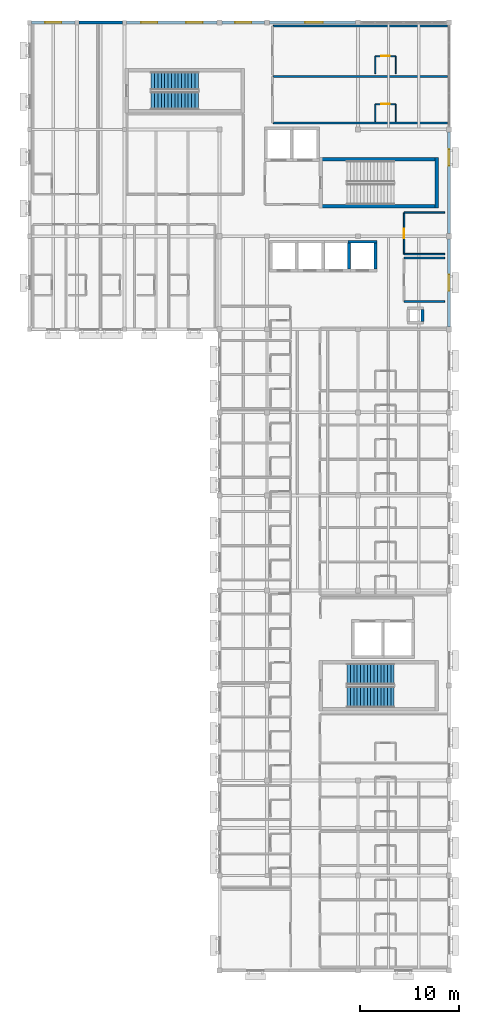
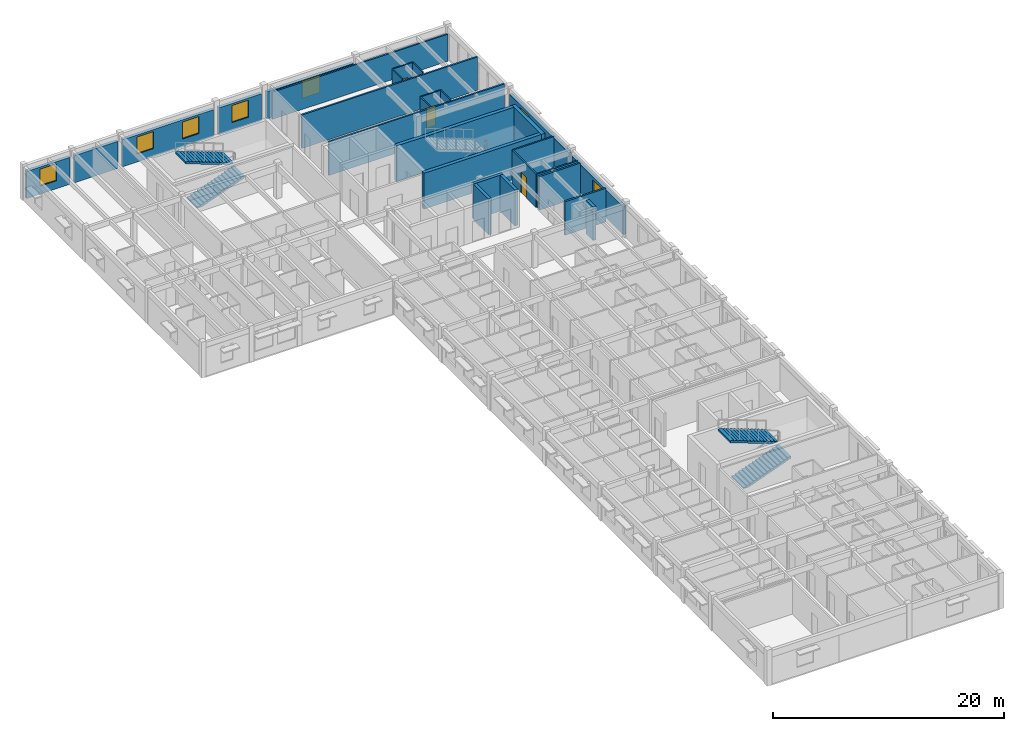
# One storey, part 15 of 20: 28 walls, 7 windows, 4 stair flights, 3 doors, 10 openings, 2 elements without a shape of their own.
"""IFC4 building model written with IfcOpenShell, lengths in metres."""

import ifcopenshell
import ifcopenshell.guid

model = None  # the IFC model being written
_history = None  # IfcOwnerHistory: only IFC2X3 demands one
_inside = {}  # id of a spatial element -> (the spatial element, [elements in it])
_under = {}  # id of a project, library or spatial element -> (it, [spatial elements below it])
_declared = {}  # id of a project -> (the project, [libraries it declares])
_typed = {}  # id of a type object -> (the type object, [elements of that type])
_made_of = {}  # id of a material, layer set ... -> (it, [elements and type objects made of it])


def new_model(schema):
    """Start an empty IFC model of exactly this schema.

    Asked for "IFC4X3", IfcOpenShell would pick the latest addendum, in which some entities
    have other attributes; the version numbers below select the first issue.
    IFC2X3 requires an IfcOwnerHistory on every rooted entity: one is made here for all.
    """
    global model, _history
    if schema == "IFC4X3":
        model = ifcopenshell.file(schema_version=(4, 3, 0, 0))
    else:
        model = ifcopenshell.file(schema=schema)
    _inside.clear()
    _under.clear()
    _declared.clear()
    _typed.clear()
    _made_of.clear()
    _history = None
    if model.schema == "IFC2X3":
        org = make("IfcOrganization", Name="unknown")
        user = make(
            "IfcPersonAndOrganization",
            ThePerson=make("IfcPerson", FamilyName="unknown"),
            TheOrganization=org,
        )
        app = make(
            "IfcApplication",
            ApplicationDeveloper=org,
            Version="unknown",
            ApplicationFullName="unknown",
            ApplicationIdentifier="unknown",
        )
        _history = make(
            "IfcOwnerHistory",
            OwningUser=user,
            OwningApplication=app,
            ChangeAction="ADDED",
            CreationDate=0,
        )
    return model


def make(cls, **values):
    """One entity of the class cls with the attributes given. An attribute that is None is left unset."""
    return model.create_entity(
        cls, **{name: value for name, value in values.items() if value is not None}
    )


def rooted(cls, **values):
    """An entity with a GlobalId (a new one), such as an element, a storey or a relation."""
    return make(cls, GlobalId=ifcopenshell.guid.new(), OwnerHistory=_history, **values)


def si_unit(unit_type, name, prefix=None):
    """IfcSIUnit, for example si_unit("LENGTHUNIT", "METRE", prefix="MILLI")."""
    return make("IfcSIUnit", UnitType=unit_type, Prefix=prefix, Name=name)


def assignment(units):
    """IfcUnitAssignment: the units of a project."""
    return None if units is None else make("IfcUnitAssignment", Units=units)


def point(xyz):
    """IfcCartesianPoint."""
    return None if xyz is None else make("IfcCartesianPoint", Coordinates=xyz)


def direction(xyz):
    """IfcDirection."""
    return None if xyz is None else make("IfcDirection", DirectionRatios=xyz)


def frame(location, z_axis=None, x_axis=None):
    """IfcAxis2Placement3D, a coordinate frame: its origin and axes. An axis left out is left unset."""
    return make(
        "IfcAxis2Placement3D",
        Location=point(location),
        Axis=direction(z_axis),
        RefDirection=direction(x_axis),
    )


def frame_2d(location, x_axis=None):
    """IfcAxis2Placement2D, a coordinate frame in the plane: its origin and x axis."""
    return make(
        "IfcAxis2Placement2D", Location=point(location), RefDirection=direction(x_axis)
    )


def origin():
    """The frame at (0, 0, 0) with its axes left unset."""
    return frame((0.0, 0.0, 0.0))


def place(relative_to, where):
    """IfcLocalPlacement: puts the frame where relative to a parent placement (None: the world)."""
    return make(
        "IfcLocalPlacement", PlacementRelTo=relative_to, RelativePlacement=where
    )


def context(
    kind, dimensions, precision=None, world=None, true_north=None, identifier=None
):
    """IfcGeometricRepresentationContext, for example the 3D "Model" context."""
    return make(
        "IfcGeometricRepresentationContext",
        ContextIdentifier=identifier,
        ContextType=kind,
        CoordinateSpaceDimension=dimensions,
        Precision=precision,
        WorldCoordinateSystem=world,
        TrueNorth=true_north,
    )


def subcontext(parent, identifier, kind, view, scale=None):
    """IfcGeometricRepresentationSubContext, for example "Body" below "Model"."""
    return make(
        "IfcGeometricRepresentationSubContext",
        ContextIdentifier=identifier,
        ContextType=kind,
        ParentContext=parent,
        TargetScale=scale,
        TargetView=view,
    )


def project(units=None, contexts=None):
    """IfcProject with its units and contexts."""
    return rooted(
        "IfcProject",
        Name="project",
        RepresentationContexts=contexts,
        UnitsInContext=assignment(units),
    )


def spatial(cls, under=None, at=None, **own):
    """A site, building, storey or space (cls), placed at a placement, below another one or the project."""
    s = rooted(cls, ObjectPlacement=at, **own)
    if under is not None:
        _under.setdefault(under.id(), (under, []))[1].append(s)
    return s


def polyline(points):
    """IfcPolyline through the points."""
    return make("IfcPolyline", Points=[point(p) for p in points])


def profile(cls, at=None, kind="AREA", **sizes):
    """A parametric profile (cls). Its sizes go by their IFC names, for example OverallWidth=200.0."""
    return make(cls, ProfileType=kind, Position=at, **sizes)


def rectangle(**sizes):
    """IfcRectangleProfileDef."""
    return profile("IfcRectangleProfileDef", **sizes)


def outline(outer, holes=None, kind="AREA"):
    """IfcArbitraryClosedProfileDef: a profile drawn as a closed curve; with holes, ...WithVoids."""
    if holes is None:
        return make("IfcArbitraryClosedProfileDef", ProfileType=kind, OuterCurve=outer)
    return make(
        "IfcArbitraryProfileDefWithVoids",
        ProfileType=kind,
        OuterCurve=outer,
        InnerCurves=holes,
    )


def extrude(swept, where, along, depth):
    """IfcExtrudedAreaSolid: the profile swept, set in the frame where, extruded along a direction by depth."""
    return make(
        "IfcExtrudedAreaSolid",
        SweptArea=swept,
        Position=where,
        ExtrudedDirection=direction(along),
        Depth=depth,
    )


def shape(context_of_items, identifier, shape_type, items):
    """IfcShapeRepresentation: the items that make up one representation, for example the "Body"."""
    return make(
        "IfcShapeRepresentation",
        ContextOfItems=context_of_items,
        RepresentationIdentifier=identifier,
        RepresentationType=shape_type,
        Items=items,
    )


def material(Name=None, Category=None):
    """IfcMaterial."""
    return make("IfcMaterial", Name=Name, Category=Category)


def layer(
    of_material, thickness, ventilated=None, Name=None, Category=None, Priority=None
):
    """IfcMaterialLayer: one layer of a wall or slab, of a material (None: an air gap)."""
    return make(
        "IfcMaterialLayer",
        Material=of_material,
        LayerThickness=thickness,
        IsVentilated=ventilated,
        Name=Name,
        Category=Category,
        Priority=Priority,
    )


def layer_set(layers, Name=None):
    """IfcMaterialLayerSet."""
    return make("IfcMaterialLayerSet", MaterialLayers=layers, LayerSetName=Name)


def made_of(thing, what):
    """Note that an element or type object is made of a material, layer set ...; save() writes the relation."""
    if what is not None:
        _made_of.setdefault(what.id(), (what, []))[1].append(thing)
    return thing


def type_object(cls, material=None, **own):
    """A type object (cls), such as IfcWallType, which elements share."""
    return made_of(rooted(cls, **own), material)


def element(
    cls,
    number,
    at=None,
    inside=None,
    cuts=None,
    type_object=None,
    material=None,
    context=None,
    identifier="Body",
    shape_type=None,
    held_by="IfcProductDefinitionShape",
    body=None,
    shapes=None,
    **own,
):
    """One element of the class cls, such as IfcWall. Its Tag is "e" and its number.

    at: its placement. inside: the storey or other place that contains it. cuts: it is an
    opening in that element (IfcRelVoidsElement). A single representation is given by context,
    identifier, shape_type and body (its items); several are given by shapes. held_by: the class
    of the entity that holds the representations. save() writes the other relations.
    """
    e = rooted(cls, Tag="e%d" % number, ObjectPlacement=at, **own)
    if body is not None:
        shapes = [shape(context, identifier, shape_type, body)]
    if shapes is not None:
        e.Representation = make(held_by, Representations=shapes)
    if inside is not None:
        _inside.setdefault(inside.id(), (inside, []))[1].append(e)
    if cuts is not None:
        rooted(
            "IfcRelVoidsElement", RelatingBuildingElement=cuts, RelatedOpeningElement=e
        )
    if type_object is not None:
        _typed.setdefault(type_object.id(), (type_object, []))[1].append(e)
    return made_of(e, material)


def fill(opening, filler):
    """IfcRelFillsElement: the door or window that sits in an opening."""
    return rooted(
        "IfcRelFillsElement",
        RelatingOpeningElement=opening,
        RelatedBuildingElement=filler,
    )


def aggregate(whole, parts):
    """IfcRelAggregates: a whole, such as a stair, and the parts it consists of."""
    return rooted("IfcRelAggregates", RelatingObject=whole, RelatedObjects=parts)


def save(model, path):
    """Write the relations noted so far, then the file.

    IfcRelAggregates (storeys below a building ...), IfcRelContainedInSpatialStructure (elements
    in a storey), IfcRelDefinesByType, IfcRelAssociatesMaterial and IfcRelDeclares: one each for
    every whole, place, type object, material and project.
    """
    for whole, parts in _under.values():
        aggregate(whole, parts)
    for where, things in _inside.values():
        rooted(
            "IfcRelContainedInSpatialStructure",
            RelatedElements=things,
            RelatingStructure=where,
        )
    for kind, things in _typed.values():
        rooted("IfcRelDefinesByType", RelatedObjects=things, RelatingType=kind)
    for what, things in _made_of.values():
        rooted("IfcRelAssociatesMaterial", RelatedObjects=things, RelatingMaterial=what)
    for by, libraries in _declared.values():
        rooted("IfcRelDeclares", RelatingContext=by, RelatedDefinitions=libraries)
    model.write(path)


model = new_model("IFC4")

# Units and contexts
model_context = context("Model", 3, precision=1e-05, world=origin(), true_north=direction((0.0, 1.0)))
body_context = subcontext(model_context, "Body", "Model", "MODEL_VIEW")
ifc_project = project(units=[si_unit("LENGTHUNIT", "METRE"), si_unit("AREAUNIT", "SQUARE_METRE"), si_unit("VOLUMEUNIT", "CUBIC_METRE"), si_unit("PLANEANGLEUNIT", "RADIAN"), si_unit("MASSUNIT", "GRAM", prefix="KILO")], contexts=[model_context])

# Site, building, storey
site_placement = place(None, origin())
site = spatial("IfcSite", under=ifc_project, at=site_placement, CompositionType="ELEMENT")
building_placement = place(site_placement, origin())
building = spatial("IfcBuilding", under=site, at=building_placement, Name="Veldera Park Congress Hotel", CompositionType="ELEMENT")
storey_placement = place(building_placement, frame((0.0, 0.0, 27.60009765625)))
storey = spatial("IfcBuildingStorey", under=building, at=storey_placement, Name="L06", CompositionType="ELEMENT", Elevation=27.60009765625)

# Wall, opening, window
ifc_material_1 = material(Name="Cross-laminated timber CLT V2M1.1", Category="wood")
ifc_layer_1 = layer(ifc_material_1, 0.300048828125)
ifc_layer_set_1 = layer_set([ifc_layer_1], Name="Cross-laminated timber CLT V2M1.1")
wall_type_1 = type_object("IfcWallType", Name="EW-CLT300", PredefinedType="STANDARD", material=ifc_layer_set_1)
wall_1_placement = place(storey_placement, frame((84.0, 27.258056640625, 0.0), z_axis=(0.0, 0.0, 1.0), x_axis=(0.0, 1.0, 0.0)))
wall_1 = element("IfcWall", 1, at=wall_1_placement, inside=storey, type_object=wall_type_1, Name="L06 Exterior Wall EW3-L06-0319", PredefinedType="STANDARD", context=body_context, shape_type="SweptSolid", body=[
    extrude(rectangle(XDim=8.884033203125, YDim=0.300048828125, at=frame_2d((4.44189453125, 0.0))), origin(), (0.0, 0.0, 1.0), 2.969970703125),
])
opening_1_placement = place(wall_1_placement, frame((3.616943359375, 0.0, 0.85009765625)))
opening_1 = element("IfcOpeningElement", 2, at=opening_1_placement, cuts=wall_1, Name="Opening WIN-1650", PredefinedType="OPENING", context=body_context, shape_type="SweptSolid", body=[
    extrude(rectangle(XDim=1.64990234375, YDim=1.800048828125, at=frame_2d((0.824951171875, 0.89990234375))), frame((0.0, 0.162109375, 0.0), z_axis=(0.0, -1.0, 0.0), x_axis=(1.0, 0.0, 0.0)), (0.0, 0.0, 1.0), 0.323974609375),
])
ifc_material_2 = material(Name="Low-E Triple Insulating Glass Unit (SHGC 0.22)", Category="glass")
window_type_1 = type_object("IfcWindowType", Name="WIN-1650", PartitioningType="SINGLE_PANEL", PredefinedType="WINDOW", material=ifc_material_2)
window_1_placement = place(opening_1_placement, origin())
window_1 = element("IfcWindow", 3, at=window_1_placement, inside=storey, type_object=window_type_1, Name="L06 Window WIN-1650 240", OverallHeight=1.800048828125, OverallWidth=1.64990234375, PartitioningType="SINGLE_PANEL", PredefinedType="WINDOW", context=body_context, shape_type="SweptSolid", body=[
    extrude(rectangle(XDim=1.64990234375, YDim=1.800048828125, at=frame_2d((0.824951171875, 0.89990234375))), frame((0.0, 0.030029296875, 0.0), z_axis=(0.0, -1.0, 0.0), x_axis=(1.0, 0.0, 0.0)), (0.0, 0.0, 1.0), 0.06005859375),
])
fill(opening_1, window_1)

wall_2_placement = place(storey_placement, frame((84.0, 36.657958984375, 0.0), z_axis=(0.0, 0.0, 1.0), x_axis=(0.0, 1.0, 0.0)))
wall_2 = element("IfcWall", 4, at=wall_2_placement, inside=storey, type_object=wall_type_1, Name="L06 Exterior Wall EW3-L06-0320", PredefinedType="STANDARD", context=body_context, shape_type="SweptSolid", body=[
    extrude(rectangle(XDim=10.283935546875, YDim=0.300048828125, at=frame_2d((5.14208984375, 0.0))), origin(), (0.0, 0.0, 1.0), 2.969970703125),
])
opening_2_placement = place(wall_2_placement, frame((6.887939453125, 0.0, 0.85009765625)))
opening_2 = element("IfcOpeningElement", 5, at=opening_2_placement, cuts=wall_2, Name="Opening WIN-1650", PredefinedType="OPENING", context=body_context, shape_type="SweptSolid", body=[
    extrude(rectangle(XDim=1.64990234375, YDim=1.800048828125, at=frame_2d((0.824951171875, 0.89990234375))), frame((0.0, 0.162109375, 0.0), z_axis=(0.0, -1.0, 0.0), x_axis=(1.0, 0.0, 0.0)), (0.0, 0.0, 1.0), 0.323974609375),
])
window_2_placement = place(opening_2_placement, origin())
window_2 = element("IfcWindow", 6, at=window_2_placement, inside=storey, type_object=window_type_1, Name="L06 Window WIN-1650 241", OverallHeight=1.800048828125, OverallWidth=1.64990234375, PartitioningType="SINGLE_PANEL", PredefinedType="WINDOW", context=body_context, shape_type="SweptSolid", body=[
    extrude(rectangle(XDim=1.64990234375, YDim=1.800048828125, at=frame_2d((0.824951171875, 0.89990234375))), frame((0.0, 0.030029296875, 0.0), z_axis=(0.0, -1.0, 0.0), x_axis=(1.0, 0.0, 0.0)), (0.0, 0.0, 1.0), 0.06005859375),
])
fill(opening_2, window_2)

wall_3_placement = place(storey_placement, frame((74.5419921875, 58.0, 0.0), z_axis=(0.0, 0.0, 1.0), x_axis=(-1.0, 0.0, 0.0)))
wall_3 = element("IfcWall", 7, at=wall_3_placement, inside=storey, type_object=wall_type_1, Name="L06 Exterior Wall EW3-L06-0321", PredefinedType="STANDARD", context=body_context, shape_type="SweptSolid", body=[
    extrude(rectangle(XDim=8.68408203125, YDim=0.300048828125, at=frame_2d((4.342041015625, 0.0))), origin(), (0.0, 0.0, 1.0), 2.869873046875),
])
opening_3_placement = place(wall_3_placement, frame((3.2958984375, 0.0, 0.85009765625)))
opening_3 = element("IfcOpeningElement", 8, at=opening_3_placement, cuts=wall_3, Name="Opening WIN-1800", PredefinedType="OPENING", context=body_context, shape_type="SweptSolid", body=[
    extrude(rectangle(XDim=1.800048828125, YDim=1.85009765625, at=frame_2d((0.89990234375, 0.925048828125))), frame((0.0, 0.162109375, 0.0), z_axis=(0.0, -1.0, 0.0), x_axis=(1.0, 0.0, 0.0)), (0.0, 0.0, 1.0), 0.323974609375),
])
window_type_2 = type_object("IfcWindowType", Name="WIN-1800", PartitioningType="SINGLE_PANEL", PredefinedType="WINDOW", material=ifc_material_2)
window_3_placement = place(opening_3_placement, origin())
window_3 = element("IfcWindow", 9, at=window_3_placement, inside=storey, type_object=window_type_2, Name="L06 Window WIN-1800 540", OverallHeight=1.85009765625, OverallWidth=1.800048828125, PartitioningType="SINGLE_PANEL", PredefinedType="WINDOW", context=body_context, shape_type="SweptSolid", body=[
    extrude(rectangle(XDim=1.800048828125, YDim=1.85009765625, at=frame_2d((0.89990234375, 0.925048828125))), frame((0.0, 0.030029296875, 0.0), z_axis=(0.0, -1.0, 0.0), x_axis=(1.0, 0.0, 0.0)), (0.0, 0.0, 1.0), 0.06005859375),
])
fill(opening_3, window_3)

wall_4_placement = place(storey_placement, frame((65.342041015625, 58.0, 0.0), z_axis=(0.0, 0.0, 1.0), x_axis=(-1.0, 0.0, 0.0)))
wall_4 = element("IfcWall", 10, at=wall_4_placement, inside=storey, type_object=wall_type_1, Name="L06 Exterior Wall EW3-L06-0322", PredefinedType="STANDARD", context=body_context, shape_type="SweptSolid", body=[
    extrude(rectangle(XDim=4.283935546875, YDim=0.300048828125, at=frame_2d((2.14208984375, 0.0))), origin(), (0.0, 0.0, 1.0), 2.869873046875),
])
opening_4_placement = place(wall_4_placement, frame((1.31689453125, 0.0, 0.85009765625)))
opening_4 = element("IfcOpeningElement", 11, at=opening_4_placement, cuts=wall_4, Name="Opening WIN-1650", PredefinedType="OPENING", context=body_context, shape_type="SweptSolid", body=[
    extrude(rectangle(XDim=1.64990234375, YDim=1.800048828125, at=frame_2d((0.824951171875, 0.89990234375))), frame((0.0, 0.162109375, 0.0), z_axis=(0.0, -1.0, 0.0), x_axis=(1.0, 0.0, 0.0)), (0.0, 0.0, 1.0), 0.323974609375),
])
window_4_placement = place(opening_4_placement, origin())
window_4 = element("IfcWindow", 12, at=window_4_placement, inside=storey, type_object=window_type_1, Name="L06 Window WIN-1650 242", OverallHeight=1.800048828125, OverallWidth=1.64990234375, PartitioningType="SINGLE_PANEL", PredefinedType="WINDOW", context=body_context, shape_type="SweptSolid", body=[
    extrude(rectangle(XDim=1.64990234375, YDim=1.800048828125, at=frame_2d((0.824951171875, 0.89990234375))), frame((0.0, 0.030029296875, 0.0), z_axis=(0.0, -1.0, 0.0), x_axis=(1.0, 0.0, 0.0)), (0.0, 0.0, 1.0), 0.06005859375),
])
fill(opening_4, window_4)

# Wall, openings, windows
wall_5_placement = place(storey_placement, frame((60.5419921875, 58.0, 0.0), z_axis=(0.0, 0.0, 1.0), x_axis=(-1.0, 0.0, 0.0)))
wall_5 = element("IfcWall", 13, at=wall_5_placement, inside=storey, type_object=wall_type_1, Name="L06 Exterior Wall EW3-L06-0323", PredefinedType="STANDARD", context=body_context, shape_type="SweptSolid", body=[
    extrude(rectangle(XDim=9.118896484375, YDim=0.300048828125, at=frame_2d((4.5595703125, 0.0))), origin(), (0.0, 0.0, 1.0), 2.869873046875),
])
opening_5_placement = place(wall_5_placement, frame((1.45458984375, 0.0, 0.85009765625)))
opening_5 = element("IfcOpeningElement", 14, at=opening_5_placement, cuts=wall_5, Name="Opening WIN-1650", PredefinedType="OPENING", context=body_context, shape_type="SweptSolid", body=[
    extrude(rectangle(XDim=1.64990234375, YDim=1.800048828125, at=frame_2d((0.824951171875, 0.89990234375))), frame((0.0, 0.162109375, 0.0), z_axis=(0.0, -1.0, 0.0), x_axis=(1.0, 0.0, 0.0)), (0.0, 0.0, 1.0), 0.323974609375),
])
opening_6_placement = place(wall_5_placement, frame((6.01416015625, 0.0, 0.85009765625)))
opening_6 = element("IfcOpeningElement", 15, at=opening_6_placement, cuts=wall_5, Name="Opening WIN-1650", PredefinedType="OPENING", context=body_context, shape_type="SweptSolid", body=[
    extrude(rectangle(XDim=1.64990234375, YDim=1.800048828125, at=frame_2d((0.824951171875, 0.89990234375))), frame((0.0, 0.162109375, 0.0), z_axis=(0.0, -1.0, 0.0), x_axis=(1.0, 0.0, 0.0)), (0.0, 0.0, 1.0), 0.323974609375),
])
window_5_placement = place(opening_5_placement, origin())
window_5 = element("IfcWindow", 16, at=window_5_placement, inside=storey, type_object=window_type_1, Name="L06 Window WIN-1650 243", OverallHeight=1.800048828125, OverallWidth=1.64990234375, PartitioningType="SINGLE_PANEL", PredefinedType="WINDOW", context=body_context, shape_type="SweptSolid", body=[
    extrude(rectangle(XDim=1.64990234375, YDim=1.800048828125, at=frame_2d((0.824951171875, 0.89990234375))), frame((0.0, 0.030029296875, 0.0), z_axis=(0.0, -1.0, 0.0), x_axis=(1.0, 0.0, 0.0)), (0.0, 0.0, 1.0), 0.06005859375),
])
fill(opening_5, window_5)
window_6_placement = place(opening_6_placement, origin())
window_6 = element("IfcWindow", 17, at=window_6_placement, inside=storey, type_object=window_type_1, Name="L06 Window WIN-1650 244", OverallHeight=1.800048828125, OverallWidth=1.64990234375, PartitioningType="SINGLE_PANEL", PredefinedType="WINDOW", context=body_context, shape_type="SweptSolid", body=[
    extrude(rectangle(XDim=1.64990234375, YDim=1.800048828125, at=frame_2d((0.824951171875, 0.89990234375))), frame((0.0, 0.030029296875, 0.0), z_axis=(0.0, -1.0, 0.0), x_axis=(1.0, 0.0, 0.0)), (0.0, 0.0, 1.0), 0.06005859375),
])
fill(opening_6, window_6)

# Wall
wall_6_placement = place(storey_placement, frame((50.97705078125, 58.0, 0.0), z_axis=(0.0, 0.0, 1.0), x_axis=(-1.0, 0.0, 0.0)))
element("IfcWall", 18, at=wall_6_placement, inside=storey, type_object=wall_type_1, Name="L06 Exterior Wall EW3-L06-0324", PredefinedType="STANDARD", context=body_context, shape_type="SweptSolid", body=[
    extrude(rectangle(XDim=4.35400390625, YDim=0.300048828125, at=frame_2d((2.177001953125, 0.0))), origin(), (0.0, 0.0, 1.0), 2.869873046875),
])

# Wall, opening, window
wall_7_placement = place(storey_placement, frame((46.177001953125, 58.0, 0.0), z_axis=(0.0, 0.0, 1.0), x_axis=(-1.0, 0.0, 0.0)))
wall_7 = element("IfcWall", 19, at=wall_7_placement, inside=storey, type_object=wall_type_1, Name="L06 Exterior Wall EW3-L06-0325", PredefinedType="STANDARD", context=body_context, shape_type="SweptSolid", body=[
    extrude(rectangle(XDim=4.35400390625, YDim=0.300048828125, at=frame_2d((2.177001953125, 0.0))), origin(), (0.0, 0.0, 1.0), 2.869873046875),
])
opening_7_placement = place(wall_7_placement, frame((1.35205078125, 0.0, 0.85009765625)))
opening_7 = element("IfcOpeningElement", 20, at=opening_7_placement, cuts=wall_7, Name="Opening WIN-1650", PredefinedType="OPENING", context=body_context, shape_type="SweptSolid", body=[
    extrude(rectangle(XDim=1.64990234375, YDim=1.800048828125, at=frame_2d((0.824951171875, 0.89990234375))), frame((0.0, 0.162109375, 0.0), z_axis=(0.0, -1.0, 0.0), x_axis=(1.0, 0.0, 0.0)), (0.0, 0.0, 1.0), 0.323974609375),
])
window_7_placement = place(opening_7_placement, origin())
window_7 = element("IfcWindow", 21, at=window_7_placement, inside=storey, type_object=window_type_1, Name="L06 Window WIN-1650 245", OverallHeight=1.800048828125, OverallWidth=1.64990234375, PartitioningType="SINGLE_PANEL", PredefinedType="WINDOW", context=body_context, shape_type="SweptSolid", body=[
    extrude(rectangle(XDim=1.64990234375, YDim=1.800048828125, at=frame_2d((0.824951171875, 0.89990234375))), frame((0.0, 0.030029296875, 0.0), z_axis=(0.0, -1.0, 0.0), x_axis=(1.0, 0.0, 0.0)), (0.0, 0.0, 1.0), 0.06005859375),
])
fill(opening_7, window_7)

# Walls
ifc_material_3 = material(Name="Fire-Rated Gypsum Board on Cold-Formed Steel Studs", Category="steel")
ifc_layer_2 = layer(ifc_material_3, 0.1201171875)
ifc_layer_set_2 = layer_set([ifc_layer_2], Name="Fire-Rated Gypsum Board on Cold-Formed Steel Studs")
wall_type_2 = type_object("IfcWallType", Name="IW-BATH120", PredefinedType="PARTITIONING", material=ifc_layer_set_2)
for number, where, z_axis, x_axis, name in (
    (22, (76.550048828125, 48.0, 0.0), (0.0, 0.0, 1.0), (0.0, 1.0, 0.0), "L06 Partition Wall IW3-L06-01361"),
    (23, (78.60009765625, 48.0, 0.0), (0.0, 0.0, 1.0), (0.0, 1.0, 0.0), "L06 Partition Wall IW3-L06-01362"),
):
    element("IfcWall", number, at=place(storey_placement, frame(where, z_axis=z_axis, x_axis=x_axis)), inside=storey, type_object=wall_type_2, Name=name, PredefinedType="PARTITIONING", context=body_context, shape_type="SweptSolid", body=[
        extrude(rectangle(XDim=1.75, YDim=0.1201171875, at=frame_2d((0.875, 0.0))), origin(), (0.0, 0.0, 1.0), 3.554931640625),
    ])

# Wall, opening, door
wall_8_placement = place(storey_placement, frame((76.550048828125, 49.75, 0.0), z_axis=(0.0, 0.0, 1.0), x_axis=(1.0, 0.0, 0.0)))
wall_8 = element("IfcWall", 24, at=wall_8_placement, inside=storey, type_object=wall_type_2, Name="L06 Partition Wall IW3-L06-01363", PredefinedType="PARTITIONING", context=body_context, shape_type="SweptSolid", body=[
    extrude(rectangle(XDim=2.050048828125, YDim=0.1201171875, at=frame_2d((1.02490234375, 0.0))), origin(), (0.0, 0.0, 1.0), 3.554931640625),
])
opening_8_placement = place(wall_8_placement, frame((0.574951171875, 0.0, 0.0)))
opening_8 = element("IfcOpeningElement", 25, at=opening_8_placement, cuts=wall_8, Name="Opening ID-BATH090", PredefinedType="OPENING", context=body_context, shape_type="SweptSolid", body=[
    extrude(rectangle(XDim=0.89990234375, YDim=2.14990234375, at=frame_2d((0.449951171875, 1.074951171875))), frame((0.0, 0.072021484375, 0.0), z_axis=(0.0, -1.0, 0.0), x_axis=(1.0, 0.0, 0.0)), (0.0, 0.0, 1.0), 0.14404296875),
])
ifc_material_4 = material(Name="Solid Core White Oak Architectural Door", Category="wood")
door_type_1 = type_object("IfcDoorType", Name="ID-BATH090", OperationType="NOTDEFINED", PredefinedType="DOOR", material=ifc_material_4)
door_1_placement = place(opening_8_placement, origin())
door_1 = element("IfcDoor", 26, at=door_1_placement, inside=storey, type_object=door_type_1, Name="L06 En-suite 214 Door ID3-L06-0567 (DR3-ID3-L06-0567)", OperationType="SINGLE_SWING_LEFT", OverallHeight=2.14990234375, OverallWidth=0.89990234375, PredefinedType="DOOR", context=body_context, shape_type="SweptSolid", body=[
    extrude(rectangle(XDim=0.89990234375, YDim=2.14990234375, at=frame_2d((0.449951171875, 1.074951171875))), frame((0.0, 0.02490234375, 0.0), z_axis=(0.0, -1.0, 0.0), x_axis=(1.0, 0.0, 0.0)), (0.0, 0.0, 1.0), 0.050048828125),
])
fill(opening_8, door_1)

# Walls
for number, where, z_axis, x_axis, name in (
    (27, (76.550048828125, 52.85009765625, 0.0), (0.0, 0.0, 1.0), (0.0, 1.0, 0.0), "L06 Partition Wall IW3-L06-01366"),
    (28, (78.60009765625, 52.85009765625, 0.0), (0.0, 0.0, 1.0), (0.0, 1.0, 0.0), "L06 Partition Wall IW3-L06-01367"),
):
    element("IfcWall", number, at=place(storey_placement, frame(where, z_axis=z_axis, x_axis=x_axis)), inside=storey, type_object=wall_type_2, Name=name, PredefinedType="PARTITIONING", context=body_context, shape_type="SweptSolid", body=[
        extrude(rectangle(XDim=1.75, YDim=0.1201171875, at=frame_2d((0.875, 0.0))), origin(), (0.0, 0.0, 1.0), 3.554931640625),
    ])

# Wall, opening, door
wall_9_placement = place(storey_placement, frame((76.550048828125, 54.60009765625, 0.0), z_axis=(0.0, 0.0, 1.0), x_axis=(1.0, 0.0, 0.0)))
wall_9 = element("IfcWall", 29, at=wall_9_placement, inside=storey, type_object=wall_type_2, Name="L06 Partition Wall IW3-L06-01368", PredefinedType="PARTITIONING", context=body_context, shape_type="SweptSolid", body=[
    extrude(rectangle(XDim=2.050048828125, YDim=0.1201171875, at=frame_2d((1.02490234375, 0.0))), origin(), (0.0, 0.0, 1.0), 3.554931640625),
])
opening_9_placement = place(wall_9_placement, frame((0.574951171875, 0.0, 0.0)))
opening_9 = element("IfcOpeningElement", 30, at=opening_9_placement, cuts=wall_9, Name="Opening ID-BATH090", PredefinedType="OPENING", context=body_context, shape_type="SweptSolid", body=[
    extrude(rectangle(XDim=0.89990234375, YDim=2.14990234375, at=frame_2d((0.449951171875, 1.074951171875))), frame((0.0, 0.072021484375, 0.0), z_axis=(0.0, -1.0, 0.0), x_axis=(1.0, 0.0, 0.0)), (0.0, 0.0, 1.0), 0.14404296875),
])
door_2_placement = place(opening_9_placement, origin())
door_2 = element("IfcDoor", 31, at=door_2_placement, inside=storey, type_object=door_type_1, Name="L06 En-suite 215 Door ID3-L06-0569 (DR3-ID3-L06-0569)", OperationType="SINGLE_SWING_LEFT", OverallHeight=2.14990234375, OverallWidth=0.89990234375, PredefinedType="DOOR", context=body_context, shape_type="SweptSolid", body=[
    extrude(rectangle(XDim=0.89990234375, YDim=2.14990234375, at=frame_2d((0.449951171875, 1.074951171875))), frame((0.0, 0.02490234375, 0.0), z_axis=(0.0, -1.0, 0.0), x_axis=(1.0, 0.0, 0.0)), (0.0, 0.0, 1.0), 0.050048828125),
])
fill(opening_9, door_2)

# Walls
ifc_layer_3 = layer(ifc_material_3, 0.179931640625)
ifc_layer_set_3 = layer_set([ifc_layer_3], Name="Fire-Rated Gypsum Board on Cold-Formed Steel Studs")
wall_type_3 = type_object("IfcWallType", Name="IW-CORR180", PredefinedType="PARTITIONING", material=ifc_layer_set_3)
for number, where, z_axis, x_axis, name in (
    (32, (79.449951171875, 29.800048828125, 0.0), (0.0, 0.0, 1.0), (1.0, 0.0, 0.0), "L06 Partition Wall IW3-L06-00273"),
    (33, (83.550048828125, 34.199951171875, 0.0), (0.0, 0.0, 1.0), (-1.0, 0.0, 0.0), "L06 Partition Wall IW3-L06-00274"),
):
    element("IfcWall", number, at=place(storey_placement, frame(where, z_axis=z_axis, x_axis=x_axis)), inside=storey, type_object=wall_type_3, Name=name, PredefinedType="PARTITIONING", context=body_context, shape_type="SweptSolid", body=[
        extrude(rectangle(XDim=4.10009765625, YDim=0.179931640625, at=frame_2d((2.050048828125, 0.0))), origin(), (0.0, 0.0, 1.0), 3.554931640625),
    ])
ifc_layer_4 = layer(ifc_material_3, 0.14990234375)
ifc_layer_set_4 = layer_set([ifc_layer_4], Name="Fire-Rated Gypsum Board on Cold-Formed Steel Studs")
wall_type_4 = type_object("IfcWallType", Name="IW-PLMB150", PredefinedType="PLUMBINGWALL", material=ifc_layer_set_4)
for number, where, z_axis, x_axis, name in (
    (34, (79.449951171875, 34.60009765625, 0.0), (0.0, 0.0, 1.0), (1.0, 0.0, 0.0), "L06 Partition Wall IW3-L06-00276"),
    (35, (83.550048828125, 38.800048828125, 0.0), (0.0, 0.0, 1.0), (-1.0, 0.0, 0.0), "L06 Partition Wall IW3-L06-00277"),
):
    element("IfcWall", number, at=place(storey_placement, frame(where, z_axis=z_axis, x_axis=x_axis)), inside=storey, type_object=wall_type_4, Name=name, PredefinedType="PLUMBINGWALL", context=body_context, shape_type="SweptSolid", body=[
        extrude(rectangle(XDim=4.10009765625, YDim=0.14990234375, at=frame_2d((2.050048828125, 0.0))), origin(), (0.0, 0.0, 1.0), 3.554931640625),
    ])

# Wall, opening, door
wall_10_placement = place(storey_placement, frame((79.449951171875, 38.800048828125, 0.0), z_axis=(0.0, 0.0, 1.0), x_axis=(0.0, -1.0, 0.0)))
wall_10 = element("IfcWall", 36, at=wall_10_placement, inside=storey, type_object=wall_type_4, Name="L06 Partition Wall IW3-L06-00278", PredefinedType="PLUMBINGWALL", context=body_context, shape_type="SweptSolid", body=[
    extrude(rectangle(XDim=4.199951171875, YDim=0.14990234375, at=frame_2d((2.10009765625, 0.0))), origin(), (0.0, 0.0, 1.0), 3.554931640625),
])
opening_10_placement = place(wall_10_placement, frame((1.625, 0.0, 0.0)))
opening_10 = element("IfcOpeningElement", 37, at=opening_10_placement, cuts=wall_10, Name="Opening ID-WC095", PredefinedType="OPENING", context=body_context, shape_type="SweptSolid", body=[
    extrude(rectangle(XDim=0.949951171875, YDim=2.14990234375, at=frame_2d((0.47509765625, 1.074951171875))), frame((0.0, 0.0869140625, 0.0), z_axis=(0.0, -1.0, 0.0), x_axis=(1.0, 0.0, 0.0)), (0.0, 0.0, 1.0), 0.173828125),
])
door_type_2 = type_object("IfcDoorType", Name="ID-WC095", OperationType="NOTDEFINED", PredefinedType="DOOR", material=ifc_material_4)
door_3_placement = place(opening_10_placement, origin())
door_3 = element("IfcDoor", 38, at=door_3_placement, inside=storey, type_object=door_type_2, Name="L06 L06 Public Accessible WC Door ID3-L06-0102 (DR3-ID3-L06-0102)", OperationType="SINGLE_SWING_LEFT", OverallHeight=2.14990234375, OverallWidth=0.949951171875, PredefinedType="DOOR", context=body_context, shape_type="SweptSolid", body=[
    extrude(rectangle(XDim=0.949951171875, YDim=2.14990234375, at=frame_2d((0.47509765625, 1.074951171875))), frame((0.0, 0.02490234375, 0.0), z_axis=(0.0, -1.0, 0.0), x_axis=(1.0, 0.0, 0.0)), (0.0, 0.0, 1.0), 0.050048828125),
])
fill(opening_10, door_3)

# Walls
ifc_layer_5 = layer(ifc_material_1, 0.159912109375)
ifc_layer_set_5 = layer_set([ifc_layer_5], Name="Cross-laminated timber CLT V2M1.1")
wall_type_5 = type_object("IfcWallType", Name="IW-UNIT160", PredefinedType="PARTITIONING", material=ifc_layer_set_5)
for number, where, z_axis, x_axis, name in (
    (39, (66.25, 47.85009765625, 0.0), (0.0, 0.0, 1.0), (1.0, 0.0, 0.0), "L06 Partition Wall IW3-L06-01359"),
    (40, (66.25, 52.550048828125, 0.0), (0.0, 0.0, 1.0), (1.0, 0.0, 0.0), "L06 Partition Wall IW3-L06-01360"),
):
    element("IfcWall", number, at=place(storey_placement, frame(where, z_axis=z_axis, x_axis=x_axis)), inside=storey, type_object=wall_type_5, Name=name, PredefinedType="PARTITIONING", context=body_context, shape_type="SweptSolid", body=[
        extrude(rectangle(XDim=17.590087890625, YDim=0.159912109375, at=frame_2d((8.794921875, 0.0))), origin(), (0.0, 0.0, 1.0), 3.554931640625),
    ])
wall_11_placement = place(storey_placement, frame((66.25, 57.64990234375, 0.0), z_axis=(0.0, 0.0, 1.0), x_axis=(1.0, 0.0, 0.0)))
element("IfcWall", 41, at=wall_11_placement, inside=storey, type_object=wall_type_5, Name="L06 Partition Wall IW3-L06-01365", PredefinedType="PARTITIONING", context=body_context, shape_type="SweptSolid", body=[
    extrude(rectangle(XDim=17.590087890625, YDim=0.159912109375, at=frame_2d((8.794921875, 0.0))), origin(), (0.0, 0.0, 1.0), 2.869873046875),
])
ifc_material_5 = material(Name="Concrete f'c 40 MPa (5,800 psi)", Category="concrete")
ifc_layer_6 = layer(ifc_material_5, 0.35009765625)
ifc_layer_set_6 = layer_set([ifc_layer_6], Name="Concrete f'c 40 MPa (5,800 psi)")
wall_type_6 = type_object("IfcWallType", Name="SW-CORE350", PredefinedType="SHEAR", material=ifc_layer_set_6)
wall_12_placement = place(storey_placement, frame((70.85009765625, 39.425048828125, 0.0), z_axis=(0.0, 0.0, 1.0), x_axis=(1.0, 0.0, 0.0)))
element("IfcWall", 42, at=wall_12_placement, inside=storey, type_object=wall_type_6, Name="Stair ST1 Core Wall L06-S", PredefinedType="SHEAR", context=body_context, shape_type="SweptSolid", body=[
    extrude(rectangle(XDim=12.099853515625, YDim=0.35009765625, at=frame_2d((6.0498046875, 0.0))), origin(), (0.0, 0.0, 1.0), 3.7998046875),
])
wall_13_placement = place(storey_placement, frame((82.77490234375, 39.25, 0.0), z_axis=(0.0, 0.0, 1.0), x_axis=(0.0, 1.0, 0.0)))
element("IfcWall", 43, at=wall_13_placement, inside=storey, type_object=wall_type_6, Name="Stair ST1 Core Wall L06-E", PredefinedType="SHEAR", context=body_context, shape_type="SweptSolid", body=[
    extrude(rectangle(XDim=5.10009765625, YDim=0.35009765625, at=frame_2d((2.550048828125, 0.0))), origin(), (0.0, 0.0, 1.0), 3.7998046875),
])
wall_14_placement = place(storey_placement, frame((82.949951171875, 44.175048828125, 0.0), z_axis=(0.0, 0.0, 1.0), x_axis=(-1.0, 0.0, 0.0)))
element("IfcWall", 44, at=wall_14_placement, inside=storey, type_object=wall_type_6, Name="Stair ST1 Core Wall L06-N", PredefinedType="SHEAR", context=body_context, shape_type="SweptSolid", body=[
    extrude(rectangle(XDim=12.099853515625, YDim=0.35009765625, at=frame_2d((6.0498046875, 0.0))), origin(), (0.0, 0.0, 1.0), 3.7998046875),
])
ifc_layer_7 = layer(ifc_material_5, 0.300048828125)
ifc_layer_set_7 = layer_set([ifc_layer_7], Name="Concrete f'c 40 MPa (5,800 psi)")
wall_type_7 = type_object("IfcWallType", Name="SW-SHFT300", PredefinedType="SHEAR", material=ifc_layer_set_7)
wall_15_placement = place(storey_placement, frame((81.300048828125, 27.800048828125, 0.0), z_axis=(0.0, 0.0, 1.0), x_axis=(0.0, 1.0, 0.0)))
element("IfcWall", 45, at=wall_15_placement, inside=storey, type_object=wall_type_7, Name="MEP Riser Shaft Wall L06-E", PredefinedType="SHEAR", context=body_context, shape_type="SweptSolid", body=[
    extrude(rectangle(XDim=1.199951171875, YDim=0.300048828125, at=frame_2d((0.60009765625, 0.0))), origin(), (0.0, 0.0, 1.0), 3.554931640625),
])
wall_16_placement = place(storey_placement, frame((73.89990234375, 33.10009765625, 0.0), z_axis=(0.0, 0.0, 1.0), x_axis=(0.0, 1.0, 0.0)))
element("IfcWall", 46, at=wall_16_placement, inside=storey, type_object=wall_type_7, Name="Lift PL-03 Shaft Wall L06-E", PredefinedType="SHEAR", context=body_context, shape_type="SweptSolid", body=[
    extrude(rectangle(XDim=2.599853515625, YDim=0.300048828125, at=frame_2d((1.2998046875, 0.0))), origin(), (0.0, 0.0, 1.0), 3.7998046875),
])
wall_17_placement = place(storey_placement, frame((76.699951171875, 35.85009765625, 0.0), z_axis=(0.0, 0.0, 1.0), x_axis=(-1.0, 0.0, 0.0)))
element("IfcWall", 47, at=wall_17_placement, inside=storey, type_object=wall_type_7, Name="Lift PL-04 Shaft Wall L06-N", PredefinedType="SHEAR", context=body_context, shape_type="SweptSolid", body=[
    extrude(rectangle(XDim=2.89990234375, YDim=0.300048828125, at=frame_2d((1.449951171875, 0.0))), origin(), (0.0, 0.0, 1.0), 3.7998046875),
])
wall_18_placement = place(storey_placement, frame((76.550048828125, 33.10009765625, 0.0), z_axis=(0.0, 0.0, 1.0), x_axis=(0.0, 1.0, 0.0)))
element("IfcWall", 48, at=wall_18_placement, inside=storey, type_object=wall_type_7, Name="Lift PL-04 Shaft Wall L06-E", PredefinedType="SHEAR", context=body_context, shape_type="SweptSolid", body=[
    extrude(rectangle(XDim=2.599853515625, YDim=0.300048828125, at=frame_2d((1.2998046875, 0.0))), origin(), (0.0, 0.0, 1.0), 3.7998046875),
])

# Stair, stair flights
stair_type_1 = type_object("IfcStairType", Name="ST2", PredefinedType="HALF_TURN_STAIR", material=ifc_material_5)
stair_1_placement = place(storey_placement, origin())
stair_1 = element("IfcStair", 49, at=stair_1_placement, inside=storey, type_object=stair_type_1, Name="L06 Protected Exit Stair ST2", PredefinedType="HALF_TURN_STAIR")
stair_flight_type_1 = type_object("IfcStairFlightType", Name="SFL-ST2", PredefinedType="STRAIGHT", material=ifc_material_5)
stair_flight_1_placement = place(storey_placement, frame((73.699951171875, -10.14990234375, 0.0), z_axis=(0.0, 0.0, 1.0), x_axis=(1.0, 0.0, 0.0)))
stair_flight_1 = element("IfcStairFlight", 50, at=stair_flight_1_placement, type_object=stair_flight_type_1, Name="ST2 flight 1", NumberOfRisers=15, NumberOfTreads=14, PredefinedType="STRAIGHT", RiserHeight=0.126666667, TreadLength=0.34, context=body_context, shape_type="SweptSolid", body=[
    extrude(outline(polyline([(0.0, 0.0), (0.0, 0.126708984375), (0.340087890625, 0.126708984375), (0.340087890625, 0.25341796875), (0.679931640625, 0.25341796875), (0.679931640625, 0.3798828125), (1.02001953125, 0.3798828125), (1.02001953125, 0.506591796875), (1.360107421875, 0.506591796875), (1.360107421875, 0.63330078125), (1.699951171875, 0.63330078125), (1.699951171875, 0.760009765625), (2.0400390625, 0.760009765625), (2.0400390625, 0.88671875), (2.3798828125, 0.88671875), (2.3798828125, 1.013427734375), (2.719970703125, 1.013427734375), (2.719970703125, 1.139892578125), (3.06005859375, 1.139892578125), (3.06005859375, 1.2666015625), (3.39990234375, 1.2666015625), (3.39990234375, 1.393310546875), (3.739990234375, 1.393310546875), (3.739990234375, 1.52001953125), (4.080078125, 1.52001953125), (4.080078125, 1.646728515625), (4.419921875, 1.646728515625), (4.419921875, 1.7734375), (4.760009765625, 1.7734375), (4.760009765625, 1.89990234375), (4.760009765625, 1.89990234375), (4.760009765625, 1.581298828125), (0.515380859375, 0.0), (0.0, 0.0)])), frame((0.0, 1.050048828125, 0.0), z_axis=(0.0, -1.0, 0.0), x_axis=(1.0, 0.0, 0.0)), (0.0, 0.0, 1.0), 2.10009765625),
])
stair_flight_2_placement = place(storey_placement, frame((78.4599609375, -7.85009765625, 1.89990234375), z_axis=(0.0, 0.0, 1.0), x_axis=(-1.0, 0.0, 0.0)))
stair_flight_2 = element("IfcStairFlight", 51, at=stair_flight_2_placement, type_object=stair_flight_type_1, Name="ST2 flight 2", NumberOfRisers=15, NumberOfTreads=14, PredefinedType="STRAIGHT", RiserHeight=0.126666667, TreadLength=0.34, context=body_context, shape_type="SweptSolid", body=[
    extrude(outline(polyline([(0.0, 0.0), (0.0, 0.126708984375), (0.340087890625, 0.126708984375), (0.340087890625, 0.25341796875), (0.679931640625, 0.25341796875), (0.679931640625, 0.3798828125), (1.02001953125, 0.3798828125), (1.02001953125, 0.506591796875), (1.360107421875, 0.506591796875), (1.360107421875, 0.63330078125), (1.699951171875, 0.63330078125), (1.699951171875, 0.760009765625), (2.0400390625, 0.760009765625), (2.0400390625, 0.88671875), (2.3798828125, 0.88671875), (2.3798828125, 1.013427734375), (2.719970703125, 1.013427734375), (2.719970703125, 1.139892578125), (3.06005859375, 1.139892578125), (3.06005859375, 1.2666015625), (3.39990234375, 1.2666015625), (3.39990234375, 1.393310546875), (3.739990234375, 1.393310546875), (3.739990234375, 1.52001953125), (4.080078125, 1.52001953125), (4.080078125, 1.646728515625), (4.419921875, 1.646728515625), (4.419921875, 1.7734375), (4.760009765625, 1.7734375), (4.760009765625, 1.89990234375), (4.760009765625, 1.89990234375), (4.760009765625, 1.581298828125), (0.515380859375, 0.0), (0.0, 0.0)])), frame((0.0, 1.050048828125, 0.0), z_axis=(0.0, -1.0, 0.0), x_axis=(1.0, 0.0, 0.0)), (0.0, 0.0, 1.0), 2.10009765625),
])
aggregate(stair_1, [stair_flight_1, stair_flight_2])

stair_type_2 = type_object("IfcStairType", Name="ST3", PredefinedType="HALF_TURN_STAIR", material=ifc_material_5)
stair_2_placement = place(storey_placement, origin())
stair_2 = element("IfcStair", 52, at=stair_2_placement, inside=storey, type_object=stair_type_2, Name="L06 Protected Exit Stair ST3", PredefinedType="HALF_TURN_STAIR")
stair_flight_type_2 = type_object("IfcStairFlightType", Name="SFL-ST3", PredefinedType="STRAIGHT", material=ifc_material_5)
stair_flight_3_placement = place(storey_placement, frame((53.89990234375, 50.10009765625, 0.0), z_axis=(0.0, 0.0, 1.0), x_axis=(1.0, 0.0, 0.0)))
stair_flight_3 = element("IfcStairFlight", 53, at=stair_flight_3_placement, type_object=stair_flight_type_2, Name="ST3 flight 1", NumberOfRisers=15, NumberOfTreads=14, PredefinedType="STRAIGHT", RiserHeight=0.126666667, TreadLength=0.34, context=body_context, shape_type="SweptSolid", body=[
    extrude(outline(polyline([(0.0, 0.0), (0.0, 0.126708984375), (0.340087890625, 0.126708984375), (0.340087890625, 0.25341796875), (0.679931640625, 0.25341796875), (0.679931640625, 0.3798828125), (1.02001953125, 0.3798828125), (1.02001953125, 0.506591796875), (1.360107421875, 0.506591796875), (1.360107421875, 0.63330078125), (1.699951171875, 0.63330078125), (1.699951171875, 0.760009765625), (2.0400390625, 0.760009765625), (2.0400390625, 0.88671875), (2.3798828125, 0.88671875), (2.3798828125, 1.013427734375), (2.719970703125, 1.013427734375), (2.719970703125, 1.139892578125), (3.06005859375, 1.139892578125), (3.06005859375, 1.2666015625), (3.39990234375, 1.2666015625), (3.39990234375, 1.393310546875), (3.739990234375, 1.393310546875), (3.739990234375, 1.52001953125), (4.080078125, 1.52001953125), (4.080078125, 1.646728515625), (4.419921875, 1.646728515625), (4.419921875, 1.7734375), (4.760009765625, 1.7734375), (4.760009765625, 1.89990234375), (4.760009765625, 1.89990234375), (4.760009765625, 1.581298828125), (0.515380859375, 0.0), (0.0, 0.0)])), frame((0.0, 0.89990234375, 0.0), z_axis=(0.0, -1.0, 0.0), x_axis=(1.0, 0.0, 0.0)), (0.0, 0.0, 1.0), 1.800048828125),
])
stair_flight_4_placement = place(storey_placement, frame((58.659912109375, 52.10009765625, 1.89990234375), z_axis=(0.0, 0.0, 1.0), x_axis=(-1.0, 0.0, 0.0)))
stair_flight_4 = element("IfcStairFlight", 54, at=stair_flight_4_placement, type_object=stair_flight_type_2, Name="ST3 flight 2", NumberOfRisers=15, NumberOfTreads=14, PredefinedType="STRAIGHT", RiserHeight=0.126666667, TreadLength=0.34, context=body_context, shape_type="SweptSolid", body=[
    extrude(outline(polyline([(0.0, 0.0), (0.0, 0.126708984375), (0.340087890625, 0.126708984375), (0.340087890625, 0.25341796875), (0.679931640625, 0.25341796875), (0.679931640625, 0.3798828125), (1.02001953125, 0.3798828125), (1.02001953125, 0.506591796875), (1.360107421875, 0.506591796875), (1.360107421875, 0.63330078125), (1.699951171875, 0.63330078125), (1.699951171875, 0.760009765625), (2.0400390625, 0.760009765625), (2.0400390625, 0.88671875), (2.3798828125, 0.88671875), (2.3798828125, 1.013427734375), (2.719970703125, 1.013427734375), (2.719970703125, 1.139892578125), (3.06005859375, 1.139892578125), (3.06005859375, 1.2666015625), (3.39990234375, 1.2666015625), (3.39990234375, 1.393310546875), (3.739990234375, 1.393310546875), (3.739990234375, 1.52001953125), (4.080078125, 1.52001953125), (4.080078125, 1.646728515625), (4.419921875, 1.646728515625), (4.419921875, 1.7734375), (4.760009765625, 1.7734375), (4.760009765625, 1.89990234375), (4.760009765625, 1.89990234375), (4.760009765625, 1.581298828125), (0.515380859375, 0.0), (0.0, 0.0)])), frame((0.0, 0.89990234375, 0.0), z_axis=(0.0, -1.0, 0.0), x_axis=(1.0, 0.0, 0.0)), (0.0, 0.0, 1.0), 1.800048828125),
])
aggregate(stair_2, [stair_flight_3, stair_flight_4])

save(model, "model.ifc")
